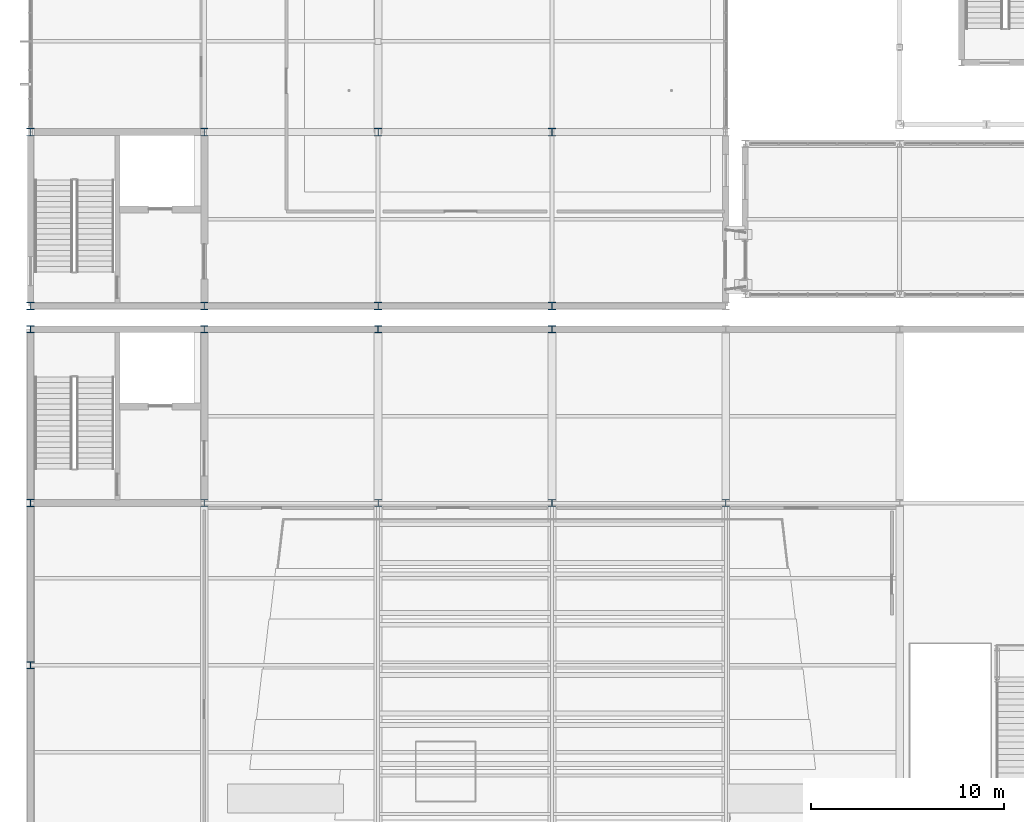
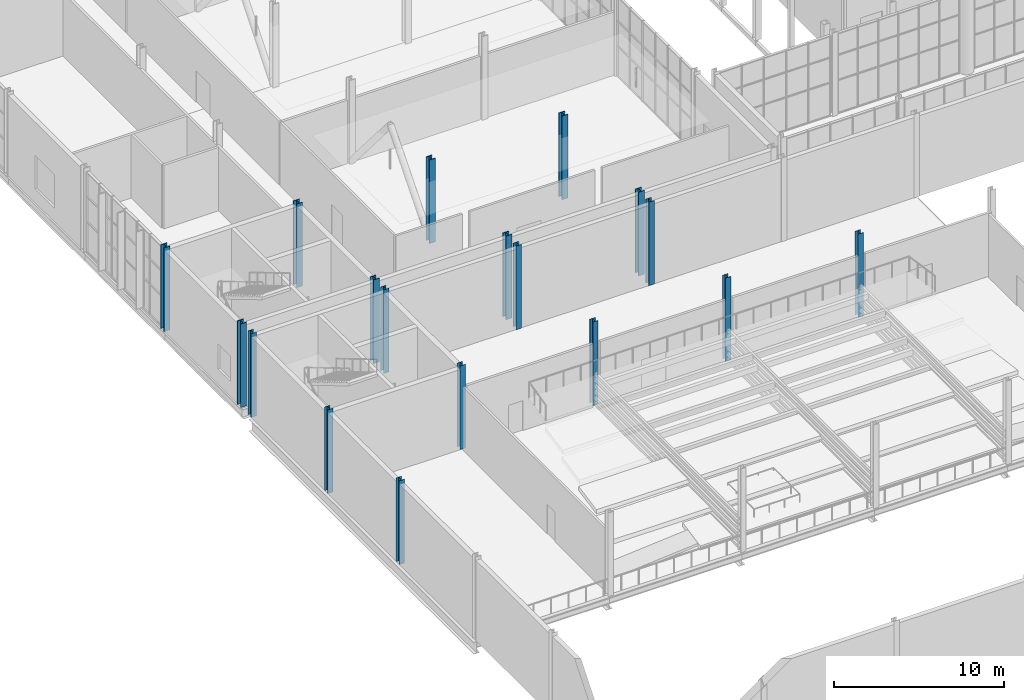
# One storey, part 3 of 159: 18 columns.
"""IFC4 building model written with IfcOpenShell, lengths in metres."""

from ifc_helpers import new_model, si_unit, direction, frame, origin, origin_2d, place, context, subcontext, project, spatial, i_section, extrude, material, material_profile, profile_set, type_object, element, save


model = new_model("IFC4")

# Units and contexts
model_context = context("Model", 3, precision=1e-05, world=origin(), true_north=direction((0.0, 1.0)))
body_context = subcontext(model_context, "Body", "Model", "MODEL_VIEW")
ifc_project = project(units=[si_unit("LENGTHUNIT", "METRE"), si_unit("AREAUNIT", "SQUARE_METRE"), si_unit("VOLUMEUNIT", "CUBIC_METRE"), si_unit("PLANEANGLEUNIT", "RADIAN"), si_unit("MASSUNIT", "GRAM", prefix="KILO")], contexts=[model_context])

# Site, building, storey
site_placement = place(None, origin())
site = spatial("IfcSite", under=ifc_project, at=site_placement, CompositionType="ELEMENT")
building_placement = place(site_placement, origin())
building = spatial("IfcBuilding", under=site, at=building_placement, Name="Cazmaro Siding Exhibition Halls", CompositionType="ELEMENT")
storey_placement = place(building_placement, frame((0.0, 0.0, 6.0)))
storey = spatial("IfcBuildingStorey", under=building, at=storey_placement, Name="L01", CompositionType="ELEMENT", Elevation=6.0)

# Columns
ifc_material_1 = material(Name="Steel ASTM A992 Grade 50", Category="steel")
ifc_material_profile_1 = material_profile(ifc_material_1, i_section(OverallWidth=0.406005859375, OverallDepth=0.416015625, WebThickness=0.030029296875, FlangeThickness=0.048095703125, at=origin_2d()), Name="W14X257")
ifc_profile_set_1 = profile_set([ifc_material_profile_1], Name="Steel ASTM A992 Grade 50")
column_type_1 = type_object("IfcColumnType", Name="C-01", PredefinedType="COLUMN", material=ifc_profile_set_1)
for number, where, z_axis, x_axis, name in (
    (1, (0.0, 54.60009765625, 0.0), (0.0, 0.0, 1.0), (1.0, 0.0, 0.0), "Column C-01 COL-0882"),
    (2, (0.0, 63.60009765625, 0.0), (0.0, 0.0, 1.0), (1.0, 0.0, 0.0), "Column C-01 COL-0887"),
    (3, (9.0, 54.60009765625, 0.0), (0.0, 0.0, 1.0), (1.0, 0.0, 0.0), "Column C-01 COL-0922"),
    (4, (9.0, 63.60009765625, 0.0), (0.0, 0.0, 1.0), (1.0, 0.0, 0.0), "Column C-01 COL-0927"),
    (5, (18.0, 54.60009765625, 0.0), (0.0, 0.0, 1.0), (1.0, 0.0, 0.0), "Column C-01 COL-0962"),
    (6, (18.0, 63.60009765625, 0.0), (0.0, 0.0, 1.0), (1.0, 0.0, 0.0), "Column C-01 COL-0967"),
    (7, (27.0, 54.60009765625, 0.0), (0.0, 0.0, 1.0), (1.0, 0.0, 0.0), "Column C-01 COL-1002"),
    (8, (27.0, 63.60009765625, 0.0), (0.0, 0.0, 1.0), (1.0, 0.0, 0.0), "Column C-01 COL-1007"),
):
    element("IfcColumn", number, at=place(storey_placement, frame(where, z_axis=z_axis, x_axis=x_axis)), inside=storey, type_object=column_type_1, Name=name, PredefinedType="COLUMN", context=body_context, shape_type="SweptSolid", body=[
        extrude(i_section(OverallWidth=0.406005859375, OverallDepth=0.416015625, WebThickness=0.030029296875, FlangeThickness=0.048095703125, at=origin_2d()), origin(), (0.0, 0.0, 1.0), 6.0),
    ])
ifc_material_2 = material(Name="Steel ASTM A992 Grade 50", Category="steel")
ifc_material_profile_2 = material_profile(ifc_material_2, i_section(OverallWidth=0.373046875, OverallDepth=0.373046875, WebThickness=0.01611328125, FlangeThickness=0.02587890625, at=origin_2d()), Name="W14X132")
ifc_profile_set_2 = profile_set([ifc_material_profile_2], Name="Steel ASTM A992 Grade 50")
column_type_2 = type_object("IfcColumnType", Name="C-04", PredefinedType="COLUMN", material=ifc_profile_set_2)
for number, where, z_axis, x_axis, name in (
    (9, (27.0, 53.39990234375, 0.0), (0.0, 0.0, 1.0), (1.0, 0.0, 0.0), "Column C-04 COL-0836"),
    (10, (18.0, 53.39990234375, 0.0), (0.0, 0.0, 1.0), (1.0, 0.0, 0.0), "Column C-04 COL-0839"),
    (11, (9.0, 53.39990234375, 0.0), (0.0, 0.0, 1.0), (1.0, 0.0, 0.0), "Column C-04 COL-0842"),
    (12, (0.0, 53.39990234375, 0.0), (0.0, 0.0, 1.0), (1.0, 0.0, 0.0), "Column C-04 COL-0845"),
    (13, (0.0, 44.39990234375, 0.0), (0.0, 0.0, 1.0), (1.0, 0.0, 0.0), "Column C-04 COL-0848"),
    (14, (0.0, 36.0, 0.0), (0.0, 0.0, 1.0), (1.0, 0.0, 0.0), "Column C-04 COL-0851"),
):
    element("IfcColumn", number, at=place(storey_placement, frame(where, z_axis=z_axis, x_axis=x_axis)), inside=storey, type_object=column_type_2, Name=name, PredefinedType="COLUMN", context=body_context, shape_type="SweptSolid", body=[
        extrude(i_section(OverallWidth=0.373046875, OverallDepth=0.373046875, WebThickness=0.01611328125, FlangeThickness=0.02587890625, at=origin_2d()), origin(), (0.0, 0.0, 1.0), 6.0),
    ])
ifc_material_3 = material(Name="Steel ASTM A992 Grade 50", Category="steel")
ifc_material_profile_3 = material_profile(ifc_material_3, i_section(OverallWidth=0.367919921875, OverallDepth=0.35595703125, WebThickness=0.010986328125, FlangeThickness=0.01806640625, at=origin_2d()), Name="W14X90")
ifc_profile_set_3 = profile_set([ifc_material_profile_3], Name="Steel ASTM A992 Grade 50")
column_type_3 = type_object("IfcColumnType", Name="C-05", PredefinedType="COLUMN", material=ifc_profile_set_3)
for number, where, z_axis, x_axis, name in (
    (15, (9.0, 44.39990234375, 0.0), (0.0, 0.0, 1.0), (1.0, 0.0, 0.0), "Column C-05 COL-0862"),
    (16, (18.0, 44.39990234375, 0.0), (0.0, 0.0, 1.0), (1.0, 0.0, 0.0), "Column C-05 COL-0866"),
    (17, (27.0, 44.39990234375, 0.0), (0.0, 0.0, 1.0), (1.0, 0.0, 0.0), "Column C-05 COL-0870"),
    (18, (36.0, 44.39990234375, 0.0), (0.0, 0.0, 1.0), (1.0, 0.0, 0.0), "Column C-05 COL-0874"),
):
    element("IfcColumn", number, at=place(storey_placement, frame(where, z_axis=z_axis, x_axis=x_axis)), inside=storey, type_object=column_type_3, Name=name, PredefinedType="COLUMN", context=body_context, shape_type="SweptSolid", body=[
        extrude(i_section(OverallWidth=0.367919921875, OverallDepth=0.35595703125, WebThickness=0.010986328125, FlangeThickness=0.01806640625, at=origin_2d()), origin(), (0.0, 0.0, 1.0), 6.0),
    ])

save(model, "model.ifc")
